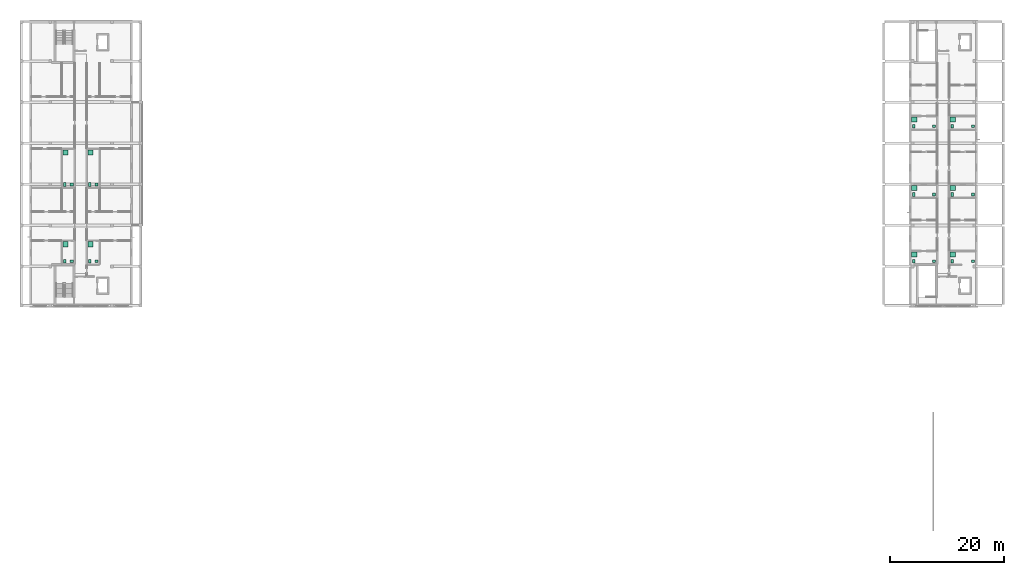
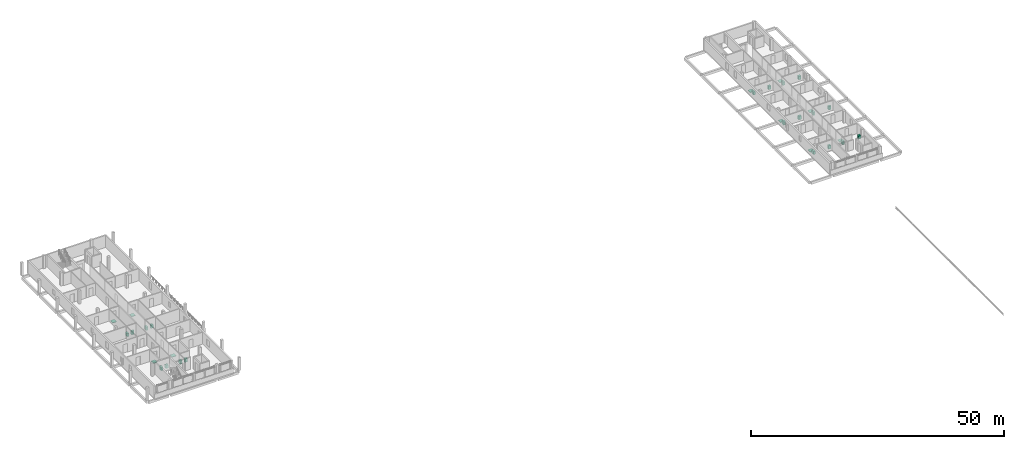
# One storey, part 16 of 16: 30 sanitary terminals.
"""IFC4 building model written with IfcOpenShell, lengths in metres."""

from ifc_helpers import new_model, si_unit, derived_unit, direction, frame, origin, origin_2d, place, context, subcontext, project, spatial, rectangle, extrude, material, type_object, element, save


model = new_model("IFC4")

# Units and contexts
model_context = context("Model", 3, precision=1e-05, world=origin(), true_north=direction((0.0, 1.0)))
body_context = subcontext(model_context, "Body", "Model", "MODEL_VIEW")
ifc_project = project(units=[si_unit("LENGTHUNIT", "METRE"), si_unit("AREAUNIT", "SQUARE_METRE"), si_unit("VOLUMEUNIT", "CUBIC_METRE"), si_unit("PLANEANGLEUNIT", "RADIAN"), si_unit("MASSUNIT", "GRAM", prefix="KILO"), derived_unit("THERMALTRANSMITTANCEUNIT", [(si_unit("MASSUNIT", "GRAM", prefix="KILO"), 1), (si_unit("TIMEUNIT", "SECOND"), -3), (si_unit("THERMODYNAMICTEMPERATUREUNIT", "KELVIN"), -1)])], contexts=[model_context])

# Site, building, storey
site_placement = place(None, origin())
site = spatial("IfcSite", under=ifc_project, at=site_placement, CompositionType="ELEMENT")
building_placement = place(site_placement, origin())
building = spatial("IfcBuilding", under=site, at=building_placement, Name="Ochrekiln Boulevard Commons", CompositionType="ELEMENT")
storey_placement = place(building_placement, frame((0.0, 0.0, 40.425048828125)))
storey = spatial("IfcBuildingStorey", under=building, at=storey_placement, Name="L12", CompositionType="ELEMENT", Elevation=40.425048828125)

# Sanitary terminals
ifc_material = material(Name="Vitreous china sanitaryware")
sanitary_terminal_type_1 = type_object("IfcSanitaryTerminalType", Name="SAN-BAS", PredefinedType="WASHHANDBASIN", material=ifc_material)
for number, where, z_axis, x_axis, name in (
    (1, (9.169921875, 76.5, 0.0), (0.0, 0.0, 1.0), (1.0, 0.0, 0.0), "L12 Washhand Basin Fixture"),
    (2, (9.169921875, 89.966064453125, 0.0), (0.0, 0.0, 1.0), (1.0, 0.0, 0.0), "L12 Washhand Basin Fixture"),
    (3, (13.530029296875, 76.5, 0.0), (0.0, 0.0, 1.0), (1.0, 0.0, 0.0), "L12 Washhand Basin Fixture"),
    (4, (13.530029296875, 89.966064453125, 0.0), (0.0, 0.0, 1.0), (1.0, 0.0, 0.0), "L12 Washhand Basin Fixture"),
    (5, (160.3701171875, 76.5, 0.0), (0.0, 0.0, 1.0), (1.0, 0.0, 0.0), "L12 Washhand Basin Fixture"),
    (6, (160.3701171875, 88.2060546875, 0.0), (0.0, 0.0, 1.0), (1.0, 0.0, 0.0), "L12 Washhand Basin Fixture"),
    (7, (160.3701171875, 100.174072265625, 0.0), (0.0, 0.0, 1.0), (1.0, 0.0, 0.0), "L12 Washhand Basin Fixture"),
    (8, (167.199951171875, 76.5, 0.0), (0.0, 0.0, 1.0), (1.0, 0.0, 0.0), "L12 Washhand Basin Fixture"),
    (9, (167.199951171875, 88.2060546875, 0.0), (0.0, 0.0, 1.0), (1.0, 0.0, 0.0), "L12 Washhand Basin Fixture"),
    (10, (167.199951171875, 100.174072265625, 0.0), (0.0, 0.0, 1.0), (1.0, 0.0, 0.0), "L12 Washhand Basin Fixture"),
):
    element("IfcSanitaryTerminal", number, at=place(storey_placement, frame(where, z_axis=z_axis, x_axis=x_axis)), inside=storey, type_object=sanitary_terminal_type_1, Name=name, PredefinedType="WASHHANDBASIN", context=body_context, shape_type="SweptSolid", body=[
        extrude(rectangle(XDim=0.550048828125, YDim=0.4599609375, at=origin_2d()), origin(), (0.0, 0.0, 1.0), 0.840087890625),
    ])
sanitary_terminal_type_2 = type_object("IfcSanitaryTerminalType", Name="SAN-SHW", PredefinedType="SHOWER", material=ifc_material)
for number, where, z_axis, x_axis, name in (
    (11, (8.070068359375, 79.489013671875, 0.0), (0.0, 0.0, 1.0), (1.0, 0.0, 0.0), "L12 Shower Receptor"),
    (12, (8.070068359375, 95.573974609375, 0.0), (0.0, 0.0, 1.0), (1.0, 0.0, 0.0), "L12 Shower Receptor"),
    (13, (12.429931640625, 79.489013671875, 0.0), (0.0, 0.0, 1.0), (1.0, 0.0, 0.0), "L12 Shower Receptor"),
    (14, (12.429931640625, 95.573974609375, 0.0), (0.0, 0.0, 1.0), (1.0, 0.0, 0.0), "L12 Shower Receptor"),
    (15, (156.89990234375, 77.669921875, 0.0), (0.0, 0.0, 1.0), (1.0, 0.0, 0.0), "L12 Shower Receptor"),
    (16, (156.89990234375, 89.3759765625, 0.0), (0.0, 0.0, 1.0), (1.0, 0.0, 0.0), "L12 Shower Receptor"),
    (17, (156.89990234375, 101.343994140625, 0.0), (0.0, 0.0, 1.0), (1.0, 0.0, 0.0), "L12 Shower Receptor"),
    (18, (163.6298828125, 77.669921875, 0.0), (0.0, 0.0, 1.0), (1.0, 0.0, 0.0), "L12 Shower Receptor"),
    (19, (163.6298828125, 89.3759765625, 0.0), (0.0, 0.0, 1.0), (1.0, 0.0, 0.0), "L12 Shower Receptor"),
    (20, (163.6298828125, 101.343994140625, 0.0), (0.0, 0.0, 1.0), (1.0, 0.0, 0.0), "L12 Shower Receptor"),
):
    element("IfcSanitaryTerminal", number, at=place(storey_placement, frame(where, z_axis=z_axis, x_axis=x_axis)), inside=storey, type_object=sanitary_terminal_type_2, Name=name, PredefinedType="SHOWER", context=body_context, shape_type="SweptSolid", body=[
        extrude(rectangle(XDim=0.89990234375, YDim=0.89990234375, at=origin_2d()), origin(), (0.0, 0.0, 1.0), 0.1201171875),
    ])
sanitary_terminal_type_3 = type_object("IfcSanitaryTerminalType", Name="SAN-WC", PredefinedType="TOILETPAN", material=ifc_material)
for number, where, z_axis, x_axis, name in (
    (21, (7.969970703125, 76.5, 0.0), (0.0, 0.0, 1.0), (1.0, 0.0, 0.0), "L12 Water Closet Fixture"),
    (22, (7.969970703125, 89.966064453125, 0.0), (0.0, 0.0, 1.0), (1.0, 0.0, 0.0), "L12 Water Closet Fixture"),
    (23, (12.330078125, 76.5, 0.0), (0.0, 0.0, 1.0), (1.0, 0.0, 0.0), "L12 Water Closet Fixture"),
    (24, (12.330078125, 89.966064453125, 0.0), (0.0, 0.0, 1.0), (1.0, 0.0, 0.0), "L12 Water Closet Fixture"),
    (25, (156.800048828125, 76.5, 0.0), (0.0, 0.0, 1.0), (1.0, 0.0, 0.0), "L12 Water Closet Fixture"),
    (26, (156.800048828125, 88.2060546875, 0.0), (0.0, 0.0, 1.0), (1.0, 0.0, 0.0), "L12 Water Closet Fixture"),
    (27, (156.800048828125, 100.174072265625, 0.0), (0.0, 0.0, 1.0), (1.0, 0.0, 0.0), "L12 Water Closet Fixture"),
    (28, (163.530029296875, 76.5, 0.0), (0.0, 0.0, 1.0), (1.0, 0.0, 0.0), "L12 Water Closet Fixture"),
    (29, (163.530029296875, 88.2060546875, 0.0), (0.0, 0.0, 1.0), (1.0, 0.0, 0.0), "L12 Water Closet Fixture"),
    (30, (163.530029296875, 100.174072265625, 0.0), (0.0, 0.0, 1.0), (1.0, 0.0, 0.0), "L12 Water Closet Fixture"),
):
    element("IfcSanitaryTerminal", number, at=place(storey_placement, frame(where, z_axis=z_axis, x_axis=x_axis)), inside=storey, type_object=sanitary_terminal_type_3, Name=name, PredefinedType="TOILETPAN", context=body_context, shape_type="SweptSolid", body=[
        extrude(rectangle(XDim=0.419921875, YDim=0.679931640625, at=origin_2d()), origin(), (0.0, 0.0, 1.0), 0.780029296875),
    ])

save(model, "model.ifc")
